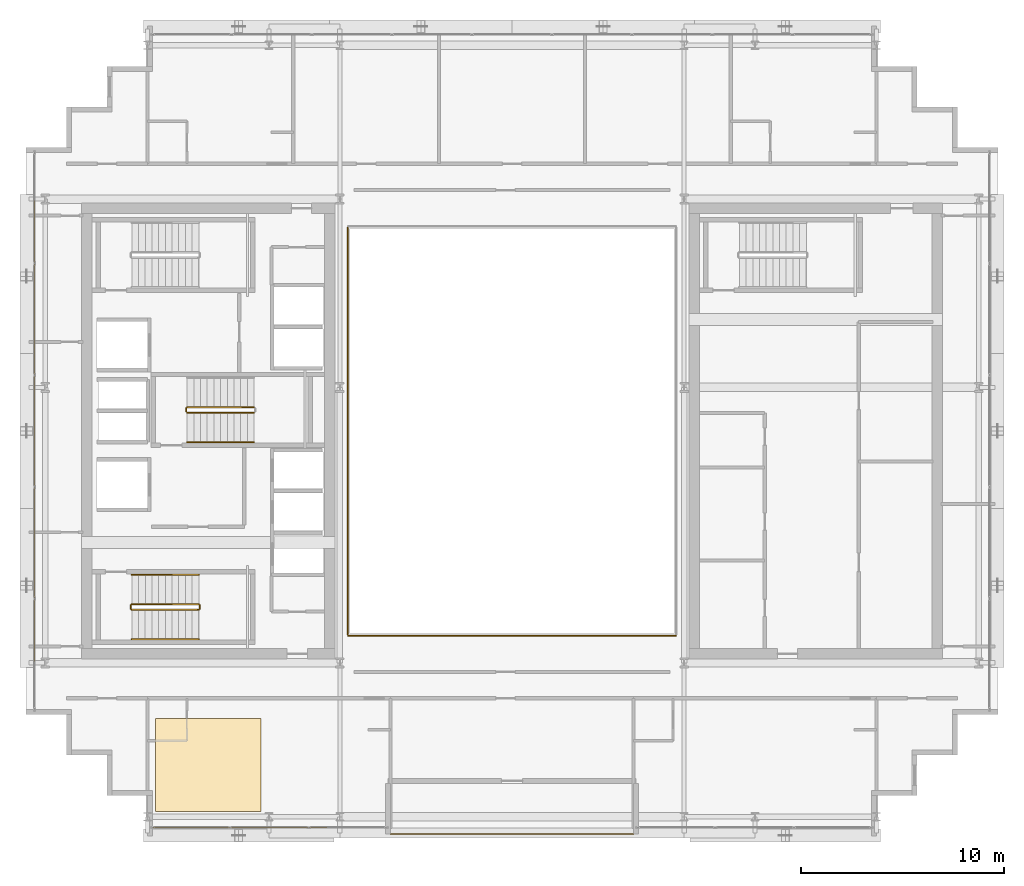
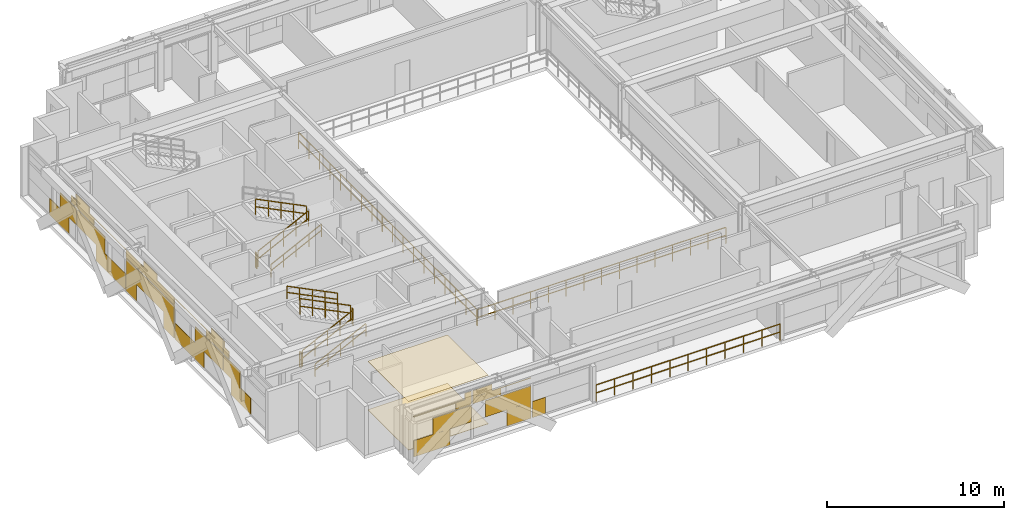
# One storey, part 27 of 30: 13 railings, 4 coverings.
"""IFC4 building model written with IfcOpenShell, lengths in metres."""

from ifc_helpers import new_model, si_unit, direction, frame, origin, origin_2d, place, context, subcontext, project, spatial, polyline, rectangle, outline, extrude, material, layer, layer_set, type_object, element, save


model = new_model("IFC4")

# Units and contexts
model_context = context("Model", 3, precision=1e-05, world=origin(), true_north=direction((0.0, 1.0)))
body_context = subcontext(model_context, "Body", "Model", "MODEL_VIEW")
ifc_project = project(units=[si_unit("LENGTHUNIT", "METRE"), si_unit("AREAUNIT", "SQUARE_METRE"), si_unit("VOLUMEUNIT", "CUBIC_METRE"), si_unit("PLANEANGLEUNIT", "RADIAN"), si_unit("MASSUNIT", "GRAM", prefix="KILO")], contexts=[model_context])

# Site, building, storey
site_placement = place(None, origin())
site = spatial("IfcSite", under=ifc_project, at=site_placement, CompositionType="ELEMENT")
building_placement = place(site_placement, origin())
building = spatial("IfcBuilding", under=site, at=building_placement, Name="Ocotamira Hotel", CompositionType="ELEMENT")
storey_placement = place(building_placement, frame((0.0, 0.0, 195.60009765625)))
storey = spatial("IfcBuildingStorey", under=building, at=storey_placement, Name="L49", CompositionType="ELEMENT", Elevation=195.60009765625)

# Coverings
ifc_material_1 = material(Name="Perforated acoustic gypsum ceiling board", Category="gypsum")
ifc_layer_1 = layer(ifc_material_1, 0.02490234375)
ifc_layer_set_1 = layer_set([ifc_layer_1], Name="Perforated acoustic gypsum ceiling board")
covering_type_1 = type_object("IfcCoveringType", Name="COV-CEIL-25", PredefinedType="CEILING", material=ifc_layer_set_1)
covering_1_placement = place(storey_placement, frame((0.0, 0.0, 3.344970703125)))
element("IfcCovering", 1, at=covering_1_placement, inside=storey, type_object=covering_type_1, Name="L49 Acoustic Ceiling", PredefinedType="CEILING", context=body_context, shape_type="SweptSolid", body=[
    extrude(outline(polyline([(14.39990234375, 7.199951171875), (19.60009765625, 7.199951171875), (19.60009765625, 11.800048828125), (14.39990234375, 11.800048828125), (14.39990234375, 7.199951171875)])), origin(), (0.0, 0.0, 1.0), 0.02490234375),
])
ifc_material_2 = material(Name="Honed desert travertine stone flooring", Category="masonry")
ifc_layer_2 = layer(ifc_material_2, 0.030029296875)
ifc_layer_set_2 = layer_set([ifc_layer_2], Name="Honed desert travertine stone flooring")
covering_type_2 = type_object("IfcCoveringType", Name="COV-FLOR-30", PredefinedType="FLOORING", material=ifc_layer_set_2)
covering_2_placement = place(storey_placement, origin())
element("IfcCovering", 2, at=covering_2_placement, inside=storey, type_object=covering_type_2, Name="L49 Honed Stone Floor Finish", PredefinedType="FLOORING", context=body_context, shape_type="SweptSolid", body=[
    extrude(outline(polyline([(14.39990234375, 7.199951171875), (19.60009765625, 7.199951171875), (19.60009765625, 11.800048828125), (14.39990234375, 11.800048828125), (14.39990234375, 7.199951171875)])), origin(), (0.0, 0.0, 1.0), 0.02978515625),
])
ifc_material_3 = material(Name="Insulated pale-metal aluminium spandrel panel", Category="aluminium")
ifc_layer_3 = layer(ifc_material_3, 0.044921875)
ifc_layer_set_3 = layer_set([ifc_layer_3], Name="Insulated pale-metal aluminium spandrel panel")
covering_type_3 = type_object("IfcCoveringType", Name="COV-INFILL-45", PredefinedType="CLADDING", material=ifc_layer_set_3)
covering_3_placement = place(storey_placement, origin())
element("IfcCovering", 3, at=covering_3_placement, inside=storey, type_object=covering_type_3, Name="L49 Curtain Wall Infill CW-4 CW-L49-S1", PredefinedType="CLADDING", context=body_context, shape_type="SweptSolid", body=[
    extrude(rectangle(XDim=2.37158203125, YDim=0.044921875, at=origin_2d()), frame((15.46630859375, 6.419921875, 0.075439453125), z_axis=(0.0, 0.0, 1.0), x_axis=(1.0, 0.0, 0.0)), (0.0, 0.0, 1.0), 1.11767578125),
    extrude(rectangle(XDim=2.510498046875, YDim=0.044921875, at=origin_2d()), frame((16.78759765625, 6.419921875, 1.19384765625), z_axis=(0.0, 0.0, 1.0), x_axis=(1.0, 0.0, 0.0)), (0.0, 0.0, 1.0), 1.117919921875),
    extrude(rectangle(XDim=3.76220703125, YDim=0.044921875, at=origin_2d()), frame((16.16162109375, 6.419921875, 2.83154296875), z_axis=(0.0, 0.0, 1.0), x_axis=(1.0, 0.0, 0.0)), (0.0, 0.0, 1.0), 0.0302734375),
    extrude(rectangle(XDim=1.018310546875, YDim=0.044921875, at=origin_2d()), frame((17.53369140625, 6.419921875, 2.3876953125), z_axis=(0.0, 0.0, 1.0), x_axis=(1.0, 0.0, 0.0)), (0.0, 0.0, 1.0), 0.442626953125),
    extrude(rectangle(XDim=0.4248046875, YDim=0.044921875, at=origin_2d()), frame((17.83056640625, 6.419921875, 2.86279296875), z_axis=(0.0, 0.0, 1.0), x_axis=(1.0, 0.0, 0.0)), (0.0, 0.0, 1.0), 0.431640625),
    extrude(rectangle(XDim=2.9765625, YDim=0.044921875, at=origin_2d()), frame((20.43798828125, 6.419921875, 1.19384765625), z_axis=(0.0, 0.0, 1.0), x_axis=(1.0, 0.0, 0.0)), (0.0, 0.0, 1.0), 1.117919921875),
    extrude(rectangle(XDim=1.578125, YDim=0.044921875, at=origin_2d()), frame((21.13720703125, 6.419921875, 0.075439453125), z_axis=(0.0, 0.0, 1.0), x_axis=(1.0, 0.0, 0.0)), (0.0, 0.0, 1.0), 1.11767578125),
    extrude(rectangle(XDim=1.8515625, YDim=0.044921875, at=origin_2d()), frame((19.049560546875, 6.419921875, 2.3876953125), z_axis=(0.0, 0.0, 1.0), x_axis=(1.0, 0.0, 0.0)), (0.0, 0.0, 1.0), 0.442626953125),
    extrude(rectangle(XDim=3.80224609375, YDim=0.044921875, at=origin_2d()), frame((20.02490234375, 6.419921875, 2.83154296875), z_axis=(0.0, 0.0, 1.0), x_axis=(1.0, 0.0, 0.0)), (0.0, 0.0, 1.0), 0.0302734375),
    extrude(rectangle(XDim=1.258056640625, YDim=0.044921875, at=origin_2d()), frame((18.7529296875, 6.419921875, 2.86279296875), z_axis=(0.0, 0.0, 1.0), x_axis=(1.0, 0.0, 0.0)), (0.0, 0.0, 1.0), 0.431640625),
    extrude(rectangle(XDim=0.85888671875, YDim=0.044921875, at=origin_2d()), frame((22.4365234375, 6.419921875, 0.075439453125), z_axis=(0.0, 0.0, 1.0), x_axis=(1.0, 0.0, 0.0)), (0.0, 0.0, 1.0), 1.11767578125),
])
covering_4_placement = place(storey_placement, origin())
element("IfcCovering", 4, at=covering_4_placement, inside=storey, type_object=covering_type_3, Name="L49 Curtain Wall Infill CW-4 CW-L49-W", PredefinedType="CLADDING", context=body_context, shape_type="SweptSolid", body=[
    extrude(rectangle(XDim=2.205078125, YDim=0.044921875, at=origin_2d()), frame((8.419921875, 15.7314453125, 0.075439453125), z_axis=(0.0, 0.0, 1.0), x_axis=(0.0, 1.0, 0.0)), (0.0, 0.0, 1.0), 1.11767578125),
    extrude(rectangle(XDim=1.864501953125, YDim=0.044921875, at=origin_2d()), frame((8.419921875, 16.747314453125, 1.19384765625), z_axis=(0.0, 0.0, 1.0), x_axis=(0.0, 1.0, 0.0)), (0.0, 0.0, 1.0), 1.117919921875),
    extrude(rectangle(XDim=0.59912109375, YDim=0.044921875, at=origin_2d()), frame((8.419921875, 17.3798828125, 2.38818359375), z_axis=(0.0, 0.0, 1.0), x_axis=(0.0, 1.0, 0.0)), (0.0, 0.0, 1.0), 0.493896484375),
    extrude(rectangle(XDim=0.07421875, YDim=0.044921875, at=origin_2d()), frame((8.419921875, 17.642333984375, 2.8828125), z_axis=(0.0, 0.0, 1.0), x_axis=(0.0, 1.0, 0.0)), (0.0, 0.0, 1.0), 0.41162109375),
    extrude(rectangle(XDim=3.157958984375, YDim=0.044921875, at=origin_2d()), frame((8.419921875, 19.33935546875, 1.19384765625), z_axis=(0.0, 0.0, 1.0), x_axis=(0.0, 1.0, 0.0)), (0.0, 0.0, 1.0), 1.117919921875),
    extrude(rectangle(XDim=3.30029296875, YDim=0.044921875, at=origin_2d()), frame((8.419921875, 21.54931640625, 0.075439453125), z_axis=(0.0, 0.0, 1.0), x_axis=(0.0, 1.0, 0.0)), (0.0, 0.0, 1.0), 1.11767578125),
    extrude(rectangle(XDim=1.892333984375, YDim=0.044921875, at=origin_2d()), frame((8.419921875, 18.70654296875, 2.38818359375), z_axis=(0.0, 0.0, 1.0), x_axis=(0.0, 1.0, 0.0)), (0.0, 0.0, 1.0), 0.459716796875),
    extrude(rectangle(XDim=5.43896484375, YDim=0.044921875, at=origin_2d()), frame((8.419921875, 20.47998046875, 2.8486328125), z_axis=(0.0, 0.0, 1.0), x_axis=(0.0, 1.0, 0.0)), (0.0, 0.0, 1.0), 0.033203125),
    extrude(rectangle(XDim=1.367431640625, YDim=0.044921875, at=origin_2d()), frame((8.419921875, 18.444091796875, 2.8828125), z_axis=(0.0, 0.0, 1.0), x_axis=(0.0, 1.0, 0.0)), (0.0, 0.0, 1.0), 0.41162109375),
    extrude(rectangle(XDim=1.18701171875, YDim=0.044921875, at=origin_2d()), frame((8.419921875, 23.873779296875, 0.075439453125), z_axis=(0.0, 0.0, 1.0), x_axis=(0.0, 1.0, 0.0)), (0.0, 0.0, 1.0), 1.11767578125),
    extrude(rectangle(XDim=5.43896484375, YDim=0.044921875, at=origin_2d()), frame((8.419921875, 26.0, 1.19384765625), z_axis=(0.0, 0.0, 1.0), x_axis=(0.0, 1.0, 0.0)), (0.0, 0.0, 1.0), 1.117919921875),
    extrude(rectangle(XDim=1.18701171875, YDim=0.044921875, at=origin_2d()), frame((8.419921875, 28.126220703125, 0.075439453125), z_axis=(0.0, 0.0, 1.0), x_axis=(0.0, 1.0, 0.0)), (0.0, 0.0, 1.0), 1.11767578125),
    extrude(rectangle(XDim=5.43896484375, YDim=0.044921875, at=origin_2d()), frame((8.419921875, 26.0, 2.38818359375), z_axis=(0.0, 0.0, 1.0), x_axis=(0.0, 1.0, 0.0)), (0.0, 0.0, 1.0), 0.493896484375),
    extrude(rectangle(XDim=1.522705078125, YDim=0.044921875, at=origin_2d()), frame((8.419921875, 26.0, 2.8828125), z_axis=(0.0, 0.0, 1.0), x_axis=(0.0, 1.0, 0.0)), (0.0, 0.0, 1.0), 0.41162109375),
    extrude(rectangle(XDim=3.30029296875, YDim=0.044921875, at=origin_2d()), frame((8.419921875, 30.45068359375, 0.075439453125), z_axis=(0.0, 0.0, 1.0), x_axis=(0.0, 1.0, 0.0)), (0.0, 0.0, 1.0), 1.11767578125),
    extrude(rectangle(XDim=3.157958984375, YDim=0.044921875, at=origin_2d()), frame((8.419921875, 32.66064453125, 1.19384765625), z_axis=(0.0, 0.0, 1.0), x_axis=(0.0, 1.0, 0.0)), (0.0, 0.0, 1.0), 1.117919921875),
    extrude(rectangle(XDim=5.43896484375, YDim=0.044921875, at=origin_2d()), frame((8.419921875, 31.52001953125, 2.8486328125), z_axis=(0.0, 0.0, 1.0), x_axis=(0.0, 1.0, 0.0)), (0.0, 0.0, 1.0), 0.033203125),
    extrude(rectangle(XDim=1.892333984375, YDim=0.044921875, at=origin_2d()), frame((8.419921875, 33.29345703125, 2.38818359375), z_axis=(0.0, 0.0, 1.0), x_axis=(0.0, 1.0, 0.0)), (0.0, 0.0, 1.0), 0.459716796875),
    extrude(rectangle(XDim=1.367431640625, YDim=0.044921875, at=origin_2d()), frame((8.419921875, 33.555908203125, 2.8828125), z_axis=(0.0, 0.0, 1.0), x_axis=(0.0, 1.0, 0.0)), (0.0, 0.0, 1.0), 0.41162109375),
    extrude(rectangle(XDim=1.864501953125, YDim=0.044921875, at=origin_2d()), frame((8.419921875, 35.252685546875, 1.19384765625), z_axis=(0.0, 0.0, 1.0), x_axis=(0.0, 1.0, 0.0)), (0.0, 0.0, 1.0), 1.117919921875),
    extrude(rectangle(XDim=2.205078125, YDim=0.044921875, at=origin_2d()), frame((8.419921875, 36.2685546875, 0.075439453125), z_axis=(0.0, 0.0, 1.0), x_axis=(0.0, 1.0, 0.0)), (0.0, 0.0, 1.0), 1.11767578125),
    extrude(rectangle(XDim=0.59912109375, YDim=0.044921875, at=origin_2d()), frame((8.419921875, 34.6201171875, 2.38818359375), z_axis=(0.0, 0.0, 1.0), x_axis=(0.0, 1.0, 0.0)), (0.0, 0.0, 1.0), 0.493896484375),
    extrude(rectangle(XDim=0.07421875, YDim=0.044921875, at=origin_2d()), frame((8.419921875, 34.357666015625, 2.8828125), z_axis=(0.0, 0.0, 1.0), x_axis=(0.0, 1.0, 0.0)), (0.0, 0.0, 1.0), 0.41162109375),
])

# Railings
ifc_material_4 = material(Name="Laminated glass and pale-metal balustrade", Category="glass")
railing_type_1 = type_object("IfcRailingType", Name="RL-BAL-1150", PredefinedType="BALUSTRADE", material=ifc_material_4)
railing_1_placement = place(storey_placement, frame((26.0, 6.10009765625, 0.0)))
element("IfcRailing", 5, at=railing_1_placement, inside=storey, type_object=railing_type_1, Name="L49 Sky Terrace Balustrade 1", PredefinedType="BALUSTRADE", context=body_context, shape_type="SweptSolid", body=[
    extrude(rectangle(XDim=0.048095703125, YDim=0.048095703125, at=origin_2d()), frame((0.0, 0.0, 1.1259765625), z_axis=(1.0, 0.0, 0.0), x_axis=(0.0, 1.0, 0.0)), (0.0, 0.0, 1.0), 12.0),
    extrude(rectangle(XDim=0.048095703125, YDim=0.048095703125, at=origin_2d()), frame((0.0, 0.0, 0.574951171875), z_axis=(1.0, 0.0, 0.0), x_axis=(0.0, 1.0, 0.0)), (0.0, 0.0, 1.0), 12.0),
    extrude(rectangle(XDim=0.0419921875, YDim=0.0419921875, at=origin_2d()), origin(), (0.0, 0.0, 1.0), 1.101806640625),
    extrude(rectangle(XDim=0.0419921875, YDim=0.0419921875, at=origin_2d()), frame((1.199951171875, 0.0, 0.0)), (0.0, 0.0, 1.0), 1.101806640625),
    extrude(rectangle(XDim=0.0419921875, YDim=0.0419921875, at=origin_2d()), frame((2.39990234375, 0.0, 0.0)), (0.0, 0.0, 1.0), 1.101806640625),
    extrude(rectangle(XDim=0.0419921875, YDim=0.0419921875, at=origin_2d()), frame((3.60009765625, 0.0, 0.0)), (0.0, 0.0, 1.0), 1.101806640625),
    extrude(rectangle(XDim=0.0419921875, YDim=0.0419921875, at=origin_2d()), frame((4.800048828125, 0.0, 0.0)), (0.0, 0.0, 1.0), 1.101806640625),
    extrude(rectangle(XDim=0.0419921875, YDim=0.0419921875, at=origin_2d()), frame((6.0, 0.0, 0.0)), (0.0, 0.0, 1.0), 1.101806640625),
    extrude(rectangle(XDim=0.0419921875, YDim=0.0419921875, at=origin_2d()), frame((7.199951171875, 0.0, 0.0)), (0.0, 0.0, 1.0), 1.101806640625),
    extrude(rectangle(XDim=0.0419921875, YDim=0.0419921875, at=origin_2d()), frame((8.39990234375, 0.0, 0.0)), (0.0, 0.0, 1.0), 1.101806640625),
    extrude(rectangle(XDim=0.0419921875, YDim=0.0419921875, at=origin_2d()), frame((9.60009765625, 0.0, 0.0)), (0.0, 0.0, 1.0), 1.101806640625),
    extrude(rectangle(XDim=0.0419921875, YDim=0.0419921875, at=origin_2d()), frame((10.800048828125, 0.0, 0.0)), (0.0, 0.0, 1.0), 1.101806640625),
    extrude(rectangle(XDim=0.0419921875, YDim=0.0419921875, at=origin_2d()), frame((12.0, 0.0, 0.0)), (0.0, 0.0, 1.0), 1.101806640625),
])
ifc_material_5 = material(Name="Painted steel stair guardrail", Category="steel")
railing_type_2 = type_object("IfcRailingType", Name="RL-EDGE-1150", PredefinedType="GUARDRAIL", material=ifc_material_5)
railing_2_placement = place(storey_placement, frame((23.89990234375, 15.8798828125, 0.0)))
element("IfcRailing", 6, at=railing_2_placement, inside=storey, type_object=railing_type_2, Name="L49 Central Atrium Edge Guardrail S", PredefinedType="GUARDRAIL", context=body_context, shape_type="SweptSolid", body=[
    extrude(rectangle(XDim=0.048095703125, YDim=0.048095703125, at=origin_2d()), frame((0.0, 0.0, 1.1259765625), z_axis=(1.0, 0.0, 0.0), x_axis=(0.0, 1.0, 0.0)), (0.0, 0.0, 1.0), 16.2001953125),
    extrude(rectangle(XDim=0.048095703125, YDim=0.048095703125, at=origin_2d()), frame((0.0, 0.0, 0.574951171875), z_axis=(1.0, 0.0, 0.0), x_axis=(0.0, 1.0, 0.0)), (0.0, 0.0, 1.0), 16.2001953125),
    extrude(rectangle(XDim=0.0419921875, YDim=0.0419921875, at=origin_2d()), origin(), (0.0, 0.0, 1.0), 1.101806640625),
    extrude(rectangle(XDim=0.0419921875, YDim=0.0419921875, at=origin_2d()), frame((1.1572265625, 0.0, 0.0)), (0.0, 0.0, 1.0), 1.101806640625),
    extrude(rectangle(XDim=0.0419921875, YDim=0.0419921875, at=origin_2d()), frame((2.314208984375, 0.0, 0.0)), (0.0, 0.0, 1.0), 1.101806640625),
    extrude(rectangle(XDim=0.0419921875, YDim=0.0419921875, at=origin_2d()), frame((3.471435546875, 0.0, 0.0)), (0.0, 0.0, 1.0), 1.101806640625),
    extrude(rectangle(XDim=0.0419921875, YDim=0.0419921875, at=origin_2d()), frame((4.628662109375, 0.0, 0.0)), (0.0, 0.0, 1.0), 1.101806640625),
    extrude(rectangle(XDim=0.0419921875, YDim=0.0419921875, at=origin_2d()), frame((5.785888671875, 0.0, 0.0)), (0.0, 0.0, 1.0), 1.101806640625),
    extrude(rectangle(XDim=0.0419921875, YDim=0.0419921875, at=origin_2d()), frame((6.94287109375, 0.0, 0.0)), (0.0, 0.0, 1.0), 1.101806640625),
    extrude(rectangle(XDim=0.0419921875, YDim=0.0419921875, at=origin_2d()), frame((8.10009765625, 0.0, 0.0)), (0.0, 0.0, 1.0), 1.101806640625),
    extrude(rectangle(XDim=0.0419921875, YDim=0.0419921875, at=origin_2d()), frame((9.25732421875, 0.0, 0.0)), (0.0, 0.0, 1.0), 1.101806640625),
    extrude(rectangle(XDim=0.0419921875, YDim=0.0419921875, at=origin_2d()), frame((10.414306640625, 0.0, 0.0)), (0.0, 0.0, 1.0), 1.101806640625),
    extrude(rectangle(XDim=0.0419921875, YDim=0.0419921875, at=origin_2d()), frame((11.571533203125, 0.0, 0.0)), (0.0, 0.0, 1.0), 1.101806640625),
    extrude(rectangle(XDim=0.0419921875, YDim=0.0419921875, at=origin_2d()), frame((12.728759765625, 0.0, 0.0)), (0.0, 0.0, 1.0), 1.101806640625),
    extrude(rectangle(XDim=0.0419921875, YDim=0.0419921875, at=origin_2d()), frame((13.885986328125, 0.0, 0.0)), (0.0, 0.0, 1.0), 1.101806640625),
    extrude(rectangle(XDim=0.0419921875, YDim=0.0419921875, at=origin_2d()), frame((15.04296875, 0.0, 0.0)), (0.0, 0.0, 1.0), 1.101806640625),
    extrude(rectangle(XDim=0.0419921875, YDim=0.0419921875, at=origin_2d()), frame((16.2001953125, 0.0, 0.0)), (0.0, 0.0, 1.0), 1.101806640625),
])
railing_3_placement = place(storey_placement, frame((23.8798828125, 36.0400390625, 0.0)))
element("IfcRailing", 7, at=railing_3_placement, inside=storey, type_object=railing_type_2, Name="L49 Central Atrium Edge Guardrail W", PredefinedType="GUARDRAIL", context=body_context, shape_type="SweptSolid", body=[
    extrude(rectangle(XDim=0.048095703125, YDim=0.048095703125, at=origin_2d()), frame((0.0, 0.0, 1.1259765625), z_axis=(0.0, -1.0, 0.0), x_axis=(1.0, 0.0, 0.0)), (0.0, 0.0, 1.0), 20.080078125),
    extrude(rectangle(XDim=0.048095703125, YDim=0.048095703125, at=origin_2d()), frame((0.0, 0.0, 0.574951171875), z_axis=(0.0, -1.0, 0.0), x_axis=(1.0, 0.0, 0.0)), (0.0, 0.0, 1.0), 20.080078125),
    extrude(rectangle(XDim=0.0419921875, YDim=0.0419921875, at=origin_2d()), origin(), (0.0, 0.0, 1.0), 1.101806640625),
    extrude(rectangle(XDim=0.0419921875, YDim=0.0419921875, at=origin_2d()), frame((0.0, -1.18115234375, 0.0)), (0.0, 0.0, 1.0), 1.101806640625),
    extrude(rectangle(XDim=0.0419921875, YDim=0.0419921875, at=origin_2d()), frame((0.0, -2.3623046875, 0.0)), (0.0, 0.0, 1.0), 1.101806640625),
    extrude(rectangle(XDim=0.0419921875, YDim=0.0419921875, at=origin_2d()), frame((0.0, -3.54345703125, 0.0)), (0.0, 0.0, 1.0), 1.101806640625),
    extrude(rectangle(XDim=0.0419921875, YDim=0.0419921875, at=origin_2d()), frame((0.0, -4.724609375, 0.0)), (0.0, 0.0, 1.0), 1.101806640625),
    extrude(rectangle(XDim=0.0419921875, YDim=0.0419921875, at=origin_2d()), frame((0.0, -5.906005859375, 0.0)), (0.0, 0.0, 1.0), 1.101806640625),
    extrude(rectangle(XDim=0.0419921875, YDim=0.0419921875, at=origin_2d()), frame((0.0, -7.087158203125, 0.0)), (0.0, 0.0, 1.0), 1.101806640625),
    extrude(rectangle(XDim=0.0419921875, YDim=0.0419921875, at=origin_2d()), frame((0.0, -8.268310546875, 0.0)), (0.0, 0.0, 1.0), 1.101806640625),
    extrude(rectangle(XDim=0.0419921875, YDim=0.0419921875, at=origin_2d()), frame((0.0, -9.449462890625, 0.0)), (0.0, 0.0, 1.0), 1.101806640625),
    extrude(rectangle(XDim=0.0419921875, YDim=0.0419921875, at=origin_2d()), frame((0.0, -10.630615234375, 0.0)), (0.0, 0.0, 1.0), 1.101806640625),
    extrude(rectangle(XDim=0.0419921875, YDim=0.0419921875, at=origin_2d()), frame((0.0, -11.811767578125, 0.0)), (0.0, 0.0, 1.0), 1.101806640625),
    extrude(rectangle(XDim=0.0419921875, YDim=0.0419921875, at=origin_2d()), frame((0.0, -12.992919921875, 0.0)), (0.0, 0.0, 1.0), 1.101806640625),
    extrude(rectangle(XDim=0.0419921875, YDim=0.0419921875, at=origin_2d()), frame((0.0, -14.174072265625, 0.0)), (0.0, 0.0, 1.0), 1.101806640625),
    extrude(rectangle(XDim=0.0419921875, YDim=0.0419921875, at=origin_2d()), frame((0.0, -15.35546875, 0.0)), (0.0, 0.0, 1.0), 1.101806640625),
    extrude(rectangle(XDim=0.0419921875, YDim=0.0419921875, at=origin_2d()), frame((0.0, -16.53662109375, 0.0)), (0.0, 0.0, 1.0), 1.101806640625),
    extrude(rectangle(XDim=0.0419921875, YDim=0.0419921875, at=origin_2d()), frame((0.0, -17.7177734375, 0.0)), (0.0, 0.0, 1.0), 1.101806640625),
    extrude(rectangle(XDim=0.0419921875, YDim=0.0419921875, at=origin_2d()), frame((0.0, -18.89892578125, 0.0)), (0.0, 0.0, 1.0), 1.101806640625),
    extrude(rectangle(XDim=0.0419921875, YDim=0.0419921875, at=origin_2d()), frame((0.0, -20.080078125, 0.0)), (0.0, 0.0, 1.0), 1.101806640625),
])
ifc_material_6 = material(Name="Brushed stainless steel handrail", Category="steel")
railing_type_3 = type_object("IfcRailingType", Name="RL-HAND-900", PredefinedType="HANDRAIL", material=ifc_material_6)
railing_4_placement = place(storey_placement, frame((13.22998046875, 15.719970703125, 0.3271484375)))
element("IfcRailing", 8, at=railing_4_placement, inside=storey, type_object=railing_type_3, Name="L49 ST-1 stair handrail 1", PredefinedType="HANDRAIL", context=body_context, shape_type="SweptSolid", body=[
    extrude(rectangle(XDim=0.048095703125, YDim=0.048095703125, at=origin_2d()), frame((0.0, 0.0, 0.8759765625), z_axis=(0.895893744519, 0.0, 0.4442683857), x_axis=(0.0, 1.0, 0.0)), (0.0, 0.0, 1.0), 3.68359375),
    extrude(rectangle(XDim=0.048095703125, YDim=0.048095703125, at=origin_2d()), frame((0.0, 0.0, 0.449951171875), z_axis=(0.895893744519, 0.0, 0.4442683857), x_axis=(0.0, 1.0, 0.0)), (0.0, 0.0, 1.0), 3.68359375),
    extrude(rectangle(XDim=0.0419921875, YDim=0.0419921875, at=origin_2d()), origin(), (0.0, 0.0, 1.0), 0.851806640625),
    extrude(rectangle(XDim=0.0419921875, YDim=0.0419921875, at=origin_2d()), frame((0.824951171875, 0.0, 0.4091796875)), (0.0, 0.0, 1.0), 0.851806640625),
    extrude(rectangle(XDim=0.0419921875, YDim=0.0419921875, at=origin_2d()), frame((1.64990234375, 0.0, 0.818359375)), (0.0, 0.0, 1.0), 0.851806640625),
    extrude(rectangle(XDim=0.0419921875, YDim=0.0419921875, at=origin_2d()), frame((2.47509765625, 0.0, 1.227294921875)), (0.0, 0.0, 1.0), 0.851806640625),
    extrude(rectangle(XDim=0.0419921875, YDim=0.0419921875, at=origin_2d()), frame((3.300048828125, 0.0, 1.636474609375)), (0.0, 0.0, 1.0), 0.851806640625),
])
railing_5_placement = place(storey_placement, frame((16.530029296875, 18.89990234375, 2.127197265625)))
element("IfcRailing", 9, at=railing_5_placement, inside=storey, type_object=railing_type_3, Name="L49 ST-1 stair handrail 2", PredefinedType="HANDRAIL", context=body_context, shape_type="SweptSolid", body=[
    extrude(rectangle(XDim=0.048095703125, YDim=0.048095703125, at=origin_2d()), frame((0.0, 0.0, 0.8759765625), z_axis=(-0.895920123917, 0.0, 0.444215186098), x_axis=(0.0, -1.0, 0.0)), (0.0, 0.0, 1.0), 3.683349609375),
    extrude(rectangle(XDim=0.048095703125, YDim=0.048095703125, at=origin_2d()), frame((0.0, 0.0, 0.449951171875), z_axis=(-0.895920123917, 0.0, 0.444215186098), x_axis=(0.0, -1.0, 0.0)), (0.0, 0.0, 1.0), 3.683349609375),
    extrude(rectangle(XDim=0.0419921875, YDim=0.0419921875, at=origin_2d()), origin(), (0.0, 0.0, 1.0), 0.851806640625),
    extrude(rectangle(XDim=0.0419921875, YDim=0.0419921875, at=origin_2d()), frame((-0.824951171875, 0.0, 0.4091796875)), (0.0, 0.0, 1.0), 0.851806640625),
    extrude(rectangle(XDim=0.0419921875, YDim=0.0419921875, at=origin_2d()), frame((-1.64990234375, 0.0, 0.818115234375)), (0.0, 0.0, 1.0), 0.851806640625),
    extrude(rectangle(XDim=0.0419921875, YDim=0.0419921875, at=origin_2d()), frame((-2.47509765625, 0.0, 1.22705078125)), (0.0, 0.0, 1.0), 0.851806640625),
    extrude(rectangle(XDim=0.0419921875, YDim=0.0419921875, at=origin_2d()), frame((-3.300048828125, 0.0, 1.63623046875)), (0.0, 0.0, 1.0), 0.851806640625),
])
railing_6_placement = place(storey_placement, frame((15.9599609375, 25.449951171875, 0.3271484375)))
element("IfcRailing", 10, at=railing_6_placement, inside=storey, type_object=railing_type_3, Name="L49 ST-3 stair handrail 1", PredefinedType="HANDRAIL", context=body_context, shape_type="SweptSolid", body=[
    extrude(rectangle(XDim=0.048095703125, YDim=0.048095703125, at=origin_2d()), frame((0.0, 0.0, 0.8759765625), z_axis=(0.895893744519, 0.0, 0.4442683857), x_axis=(0.0, 1.0, 0.0)), (0.0, 0.0, 1.0), 3.68359375),
    extrude(rectangle(XDim=0.048095703125, YDim=0.048095703125, at=origin_2d()), frame((0.0, 0.0, 0.449951171875), z_axis=(0.895893744519, 0.0, 0.4442683857), x_axis=(0.0, 1.0, 0.0)), (0.0, 0.0, 1.0), 3.68359375),
    extrude(rectangle(XDim=0.0419921875, YDim=0.0419921875, at=origin_2d()), origin(), (0.0, 0.0, 1.0), 0.851806640625),
    extrude(rectangle(XDim=0.0419921875, YDim=0.0419921875, at=origin_2d()), frame((0.824951171875, 0.0, 0.4091796875)), (0.0, 0.0, 1.0), 0.851806640625),
    extrude(rectangle(XDim=0.0419921875, YDim=0.0419921875, at=origin_2d()), frame((1.64990234375, 0.0, 0.818359375)), (0.0, 0.0, 1.0), 0.851806640625),
    extrude(rectangle(XDim=0.0419921875, YDim=0.0419921875, at=origin_2d()), frame((2.47509765625, 0.0, 1.227294921875)), (0.0, 0.0, 1.0), 0.851806640625),
    extrude(rectangle(XDim=0.0419921875, YDim=0.0419921875, at=origin_2d()), frame((3.300048828125, 0.0, 1.636474609375)), (0.0, 0.0, 1.0), 0.851806640625),
])
railing_type_4 = type_object("IfcRailingType", Name="RL-STAIR-1100", PredefinedType="GUARDRAIL", material=ifc_material_5)
railing_7_placement = place(storey_placement, frame((13.22998046875, 17.179931640625, 0.16357421875)))
element("IfcRailing", 11, at=railing_7_placement, inside=storey, type_object=railing_type_4, Name="L49 ST-1 stair guard 1", PredefinedType="GUARDRAIL", context=body_context, shape_type="SweptSolid", body=[
    extrude(rectangle(XDim=0.048095703125, YDim=0.048095703125, at=origin_2d()), frame((0.0, 0.0, 1.076171875), z_axis=(0.895920123917, 0.0, 0.444215186098), x_axis=(0.0, 1.0, 0.0)), (0.0, 0.0, 1.0), 3.683349609375),
    extrude(rectangle(XDim=0.048095703125, YDim=0.048095703125, at=origin_2d()), frame((0.0, 0.0, 0.550048828125), z_axis=(0.895920123917, 0.0, 0.444215186098), x_axis=(0.0, 1.0, 0.0)), (0.0, 0.0, 1.0), 3.683349609375),
    extrude(rectangle(XDim=0.0419921875, YDim=0.0419921875, at=origin_2d()), origin(), (0.0, 0.0, 1.0), 1.052001953125),
    extrude(rectangle(XDim=0.0419921875, YDim=0.0419921875, at=origin_2d()), frame((0.824951171875, 0.0, 0.4091796875)), (0.0, 0.0, 1.0), 1.052001953125),
    extrude(rectangle(XDim=0.0419921875, YDim=0.0419921875, at=origin_2d()), frame((1.64990234375, 0.0, 0.818115234375)), (0.0, 0.0, 1.0), 1.052001953125),
    extrude(rectangle(XDim=0.0419921875, YDim=0.0419921875, at=origin_2d()), frame((2.47509765625, 0.0, 1.22705078125)), (0.0, 0.0, 1.0), 1.052001953125),
    extrude(rectangle(XDim=0.0419921875, YDim=0.0419921875, at=origin_2d()), frame((3.300048828125, 0.0, 1.63623046875)), (0.0, 0.0, 1.0), 1.052001953125),
])
railing_8_placement = place(storey_placement, frame((16.580078125, 17.22998046875, 1.7998046875)))
element("IfcRailing", 12, at=railing_8_placement, inside=storey, type_object=railing_type_4, Name="L49 ST-1 stair guard 2", PredefinedType="GUARDRAIL", context=body_context, shape_type="SweptSolid", body=[
    extrude(rectangle(XDim=0.048095703125, YDim=0.048095703125, at=origin_2d()), frame((0.0, 0.0, 1.076171875), z_axis=(0.0, 1.0, 0.0), x_axis=(-1.0, 0.0, 0.0)), (0.0, 0.0, 1.0), 0.159912109375),
    extrude(rectangle(XDim=0.048095703125, YDim=0.048095703125, at=origin_2d()), frame((0.0, 0.0, 0.550048828125), z_axis=(0.0, 1.0, 0.0), x_axis=(-1.0, 0.0, 0.0)), (0.0, 0.0, 1.0), 0.159912109375),
    extrude(rectangle(XDim=0.0419921875, YDim=0.0419921875, at=origin_2d()), origin(), (0.0, 0.0, 1.0), 1.052001953125),
    extrude(rectangle(XDim=0.0419921875, YDim=0.0419921875, at=origin_2d()), frame((0.0, 0.159912109375, 0.0)), (0.0, 0.0, 1.0), 1.052001953125),
])
railing_9_placement = place(storey_placement, frame((16.530029296875, 17.43994140625, 1.963623046875)))
element("IfcRailing", 13, at=railing_9_placement, inside=storey, type_object=railing_type_4, Name="L49 ST-1 stair guard 3", PredefinedType="GUARDRAIL", context=body_context, shape_type="SweptSolid", body=[
    extrude(rectangle(XDim=0.048095703125, YDim=0.048095703125, at=origin_2d()), frame((0.0, 0.0, 1.076171875), z_axis=(-0.895920123917, 0.0, 0.444215186098), x_axis=(0.0, -1.0, 0.0)), (0.0, 0.0, 1.0), 3.683349609375),
    extrude(rectangle(XDim=0.048095703125, YDim=0.048095703125, at=origin_2d()), frame((0.0, 0.0, 0.550048828125), z_axis=(-0.895920123917, 0.0, 0.444215186098), x_axis=(0.0, -1.0, 0.0)), (0.0, 0.0, 1.0), 3.683349609375),
    extrude(rectangle(XDim=0.0419921875, YDim=0.0419921875, at=origin_2d()), origin(), (0.0, 0.0, 1.0), 1.052001953125),
    extrude(rectangle(XDim=0.0419921875, YDim=0.0419921875, at=origin_2d()), frame((-0.824951171875, 0.0, 0.4091796875)), (0.0, 0.0, 1.0), 1.052001953125),
    extrude(rectangle(XDim=0.0419921875, YDim=0.0419921875, at=origin_2d()), frame((-1.64990234375, 0.0, 0.818115234375)), (0.0, 0.0, 1.0), 1.052001953125),
    extrude(rectangle(XDim=0.0419921875, YDim=0.0419921875, at=origin_2d()), frame((-2.47509765625, 0.0, 1.22705078125)), (0.0, 0.0, 1.0), 1.052001953125),
    extrude(rectangle(XDim=0.0419921875, YDim=0.0419921875, at=origin_2d()), frame((-3.300048828125, 0.0, 1.63623046875)), (0.0, 0.0, 1.0), 1.052001953125),
])
railing_10_placement = place(storey_placement, frame((13.179931640625, 17.22998046875, 0.0)))
element("IfcRailing", 14, at=railing_10_placement, inside=storey, type_object=railing_type_4, Name="L49 ST-1 stair guard 4", PredefinedType="GUARDRAIL", context=body_context, shape_type="SweptSolid", body=[
    extrude(rectangle(XDim=0.048095703125, YDim=0.048095703125, at=origin_2d()), frame((0.0, 0.0, 1.076171875), z_axis=(0.0, 1.0, 0.0), x_axis=(-1.0, 0.0, 0.0)), (0.0, 0.0, 1.0), 0.159912109375),
    extrude(rectangle(XDim=0.048095703125, YDim=0.048095703125, at=origin_2d()), frame((0.0, 0.0, 0.550048828125), z_axis=(0.0, 1.0, 0.0), x_axis=(-1.0, 0.0, 0.0)), (0.0, 0.0, 1.0), 0.159912109375),
    extrude(rectangle(XDim=0.0419921875, YDim=0.0419921875, at=origin_2d()), origin(), (0.0, 0.0, 1.0), 1.052001953125),
    extrude(rectangle(XDim=0.0419921875, YDim=0.0419921875, at=origin_2d()), frame((0.0, 0.159912109375, 0.0)), (0.0, 0.0, 1.0), 1.052001953125),
])
railing_11_placement = place(storey_placement, frame((15.9599609375, 26.909912109375, 0.16357421875)))
element("IfcRailing", 15, at=railing_11_placement, inside=storey, type_object=railing_type_4, Name="L49 ST-3 stair guard 1", PredefinedType="GUARDRAIL", context=body_context, shape_type="SweptSolid", body=[
    extrude(rectangle(XDim=0.048095703125, YDim=0.048095703125, at=origin_2d()), frame((0.0, 0.0, 1.076171875), z_axis=(0.895920123917, 0.0, 0.444215186098), x_axis=(0.0, 1.0, 0.0)), (0.0, 0.0, 1.0), 3.683349609375),
    extrude(rectangle(XDim=0.048095703125, YDim=0.048095703125, at=origin_2d()), frame((0.0, 0.0, 0.550048828125), z_axis=(0.895920123917, 0.0, 0.444215186098), x_axis=(0.0, 1.0, 0.0)), (0.0, 0.0, 1.0), 3.683349609375),
    extrude(rectangle(XDim=0.0419921875, YDim=0.0419921875, at=origin_2d()), origin(), (0.0, 0.0, 1.0), 1.052001953125),
    extrude(rectangle(XDim=0.0419921875, YDim=0.0419921875, at=origin_2d()), frame((0.824951171875, 0.0, 0.4091796875)), (0.0, 0.0, 1.0), 1.052001953125),
    extrude(rectangle(XDim=0.0419921875, YDim=0.0419921875, at=origin_2d()), frame((1.64990234375, 0.0, 0.818115234375)), (0.0, 0.0, 1.0), 1.052001953125),
    extrude(rectangle(XDim=0.0419921875, YDim=0.0419921875, at=origin_2d()), frame((2.47509765625, 0.0, 1.22705078125)), (0.0, 0.0, 1.0), 1.052001953125),
    extrude(rectangle(XDim=0.0419921875, YDim=0.0419921875, at=origin_2d()), frame((3.300048828125, 0.0, 1.63623046875)), (0.0, 0.0, 1.0), 1.052001953125),
])
railing_12_placement = place(storey_placement, frame((19.260009765625, 27.169921875, 1.963623046875)))
element("IfcRailing", 16, at=railing_12_placement, inside=storey, type_object=railing_type_4, Name="L49 ST-3 stair guard 3", PredefinedType="GUARDRAIL", context=body_context, shape_type="SweptSolid", body=[
    extrude(rectangle(XDim=0.048095703125, YDim=0.048095703125, at=origin_2d()), frame((0.0, 0.0, 1.076171875), z_axis=(-0.895920123917, 0.0, 0.444215186098), x_axis=(0.0, -1.0, 0.0)), (0.0, 0.0, 1.0), 3.683349609375),
    extrude(rectangle(XDim=0.048095703125, YDim=0.048095703125, at=origin_2d()), frame((0.0, 0.0, 0.550048828125), z_axis=(-0.895920123917, 0.0, 0.444215186098), x_axis=(0.0, -1.0, 0.0)), (0.0, 0.0, 1.0), 3.683349609375),
    extrude(rectangle(XDim=0.0419921875, YDim=0.0419921875, at=origin_2d()), origin(), (0.0, 0.0, 1.0), 1.052001953125),
    extrude(rectangle(XDim=0.0419921875, YDim=0.0419921875, at=origin_2d()), frame((-0.824951171875, 0.0, 0.4091796875)), (0.0, 0.0, 1.0), 1.052001953125),
    extrude(rectangle(XDim=0.0419921875, YDim=0.0419921875, at=origin_2d()), frame((-1.64990234375, 0.0, 0.818115234375)), (0.0, 0.0, 1.0), 1.052001953125),
    extrude(rectangle(XDim=0.0419921875, YDim=0.0419921875, at=origin_2d()), frame((-2.47509765625, 0.0, 1.22705078125)), (0.0, 0.0, 1.0), 1.052001953125),
    extrude(rectangle(XDim=0.0419921875, YDim=0.0419921875, at=origin_2d()), frame((-3.300048828125, 0.0, 1.63623046875)), (0.0, 0.0, 1.0), 1.052001953125),
])
railing_13_placement = place(storey_placement, frame((15.909912109375, 26.9599609375, 0.0)))
element("IfcRailing", 17, at=railing_13_placement, inside=storey, type_object=railing_type_4, Name="L49 ST-3 stair guard 4", PredefinedType="GUARDRAIL", context=body_context, shape_type="SweptSolid", body=[
    extrude(rectangle(XDim=0.048095703125, YDim=0.048095703125, at=origin_2d()), frame((0.0, 0.0, 1.076171875), z_axis=(0.0, 1.0, 0.0), x_axis=(-1.0, 0.0, 0.0)), (0.0, 0.0, 1.0), 0.16015625),
    extrude(rectangle(XDim=0.048095703125, YDim=0.048095703125, at=origin_2d()), frame((0.0, 0.0, 0.550048828125), z_axis=(0.0, 1.0, 0.0), x_axis=(-1.0, 0.0, 0.0)), (0.0, 0.0, 1.0), 0.16015625),
    extrude(rectangle(XDim=0.0419921875, YDim=0.0419921875, at=origin_2d()), origin(), (0.0, 0.0, 1.0), 1.052001953125),
    extrude(rectangle(XDim=0.0419921875, YDim=0.0419921875, at=origin_2d()), frame((0.0, 0.16015625, 0.0)), (0.0, 0.0, 1.0), 1.052001953125),
])

save(model, "model.ifc")
